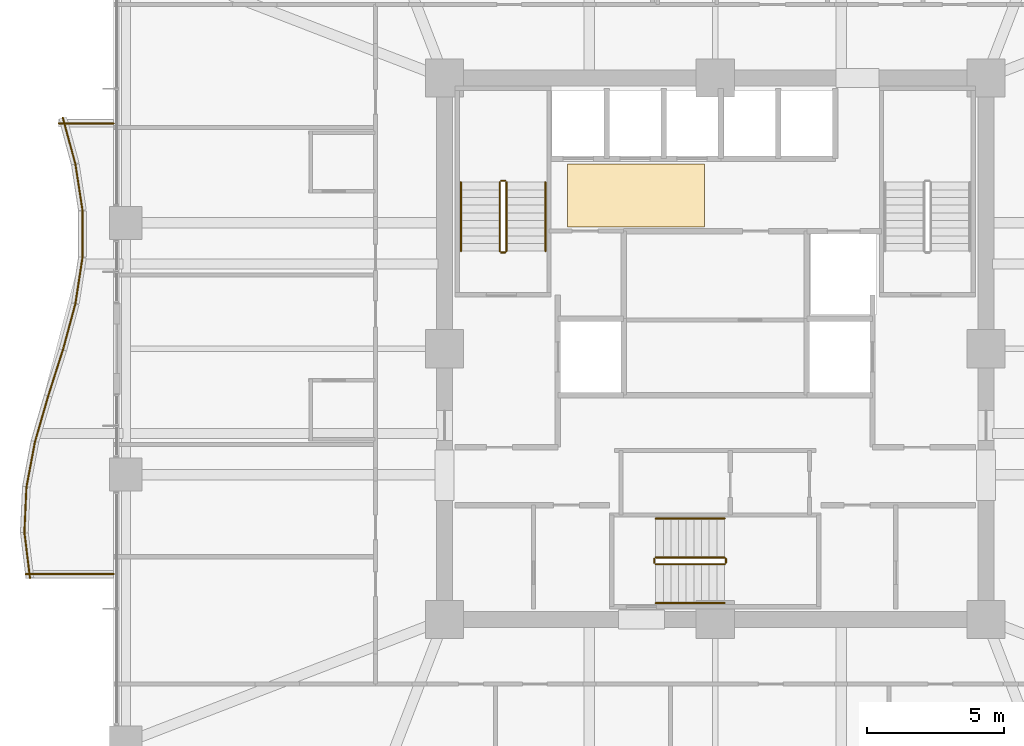
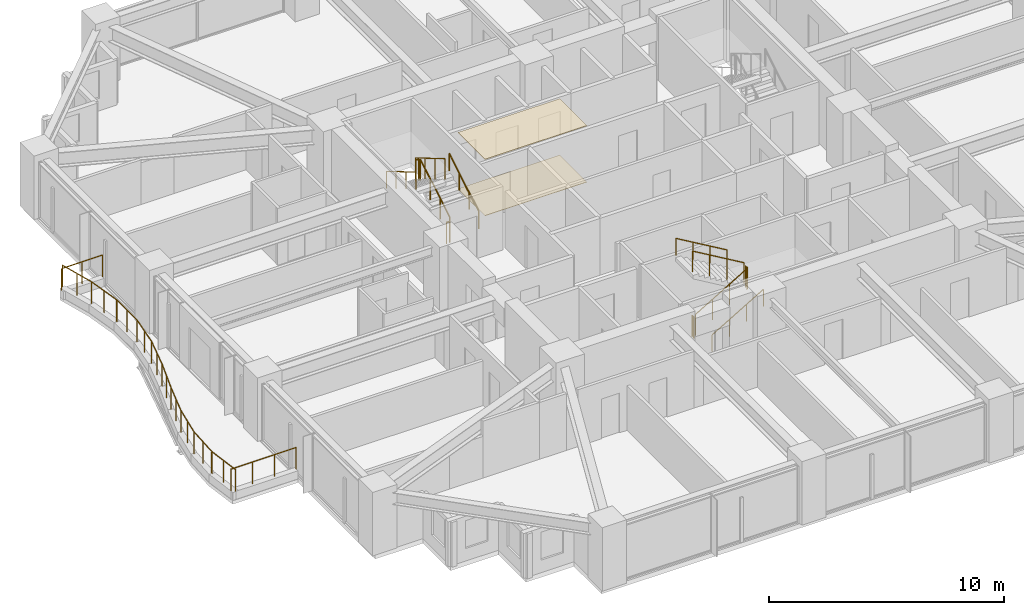
# One storey, part 37 of 38: 24 railings, 2 coverings.
"""IFC4 building model written with IfcOpenShell, lengths in metres."""

from ifc_helpers import new_model, si_unit, direction, frame, origin, origin_2d, place, context, subcontext, project, spatial, polyline, circle, outline, extrude, material, layer, layer_set, type_object, element, save


model = new_model("IFC4")

# Units and contexts
model_context = context("Model", 3, precision=1e-05, world=origin(), true_north=direction((0.0, 1.0)))
body_context = subcontext(model_context, "Body", "Model", "MODEL_VIEW")
ifc_project = project(units=[si_unit("LENGTHUNIT", "METRE"), si_unit("AREAUNIT", "SQUARE_METRE"), si_unit("VOLUMEUNIT", "CUBIC_METRE"), si_unit("PLANEANGLEUNIT", "RADIAN"), si_unit("MASSUNIT", "GRAM", prefix="KILO")], contexts=[model_context])

# Site, building, storey
site_placement = place(None, origin())
site = spatial("IfcSite", under=ifc_project, at=site_placement, CompositionType="ELEMENT")
building_placement = place(site_placement, origin())
building = spatial("IfcBuilding", under=site, at=building_placement, Name="Kolvaren Belvedere", CompositionType="ELEMENT")
storey_placement = place(building_placement, frame((0.0, 0.0, 60.10009765625)))
storey = spatial("IfcBuildingStorey", under=building, at=storey_placement, Name="L17", CompositionType="ELEMENT", Elevation=60.10009765625)

# Coverings
ifc_material_1 = material(Name="Acoustic perforated gypsum board", Category="gypsum")
ifc_layer_1 = layer(ifc_material_1, 0.02490234375)
ifc_layer_set_1 = layer_set([ifc_layer_1], Name="Acoustic perforated gypsum board")
covering_type_1 = type_object("IfcCoveringType", Name="COV-CEIL-GYP", PredefinedType="CEILING", material=ifc_layer_set_1)
covering_1_placement = place(storey_placement, frame((0.0, 0.0, 2.9248046875)))
element("IfcCovering", 1, at=covering_1_placement, inside=storey, type_object=covering_type_1, Name="L17 Lift Lobby Acoustic Baffle Ceiling", PredefinedType="CEILING", context=body_context, shape_type="SweptSolid", body=[
    extrude(outline(polyline([(-5.39990234375, 4.449951171875), (-0.39990234375, 4.449951171875), (-0.39990234375, 6.75), (-5.39990234375, 6.75), (-5.39990234375, 4.449951171875)])), origin(), (0.0, 0.0, 1.0), 0.025146484375),
])
ifc_material_2 = material(Name="Engineered Pacific white oak", Category="timber")
ifc_layer_2 = layer(ifc_material_2, 0.02001953125)
ifc_layer_set_2 = layer_set([ifc_layer_2], Name="Engineered Pacific white oak")
covering_type_2 = type_object("IfcCoveringType", Name="COV-FLR-OAK", PredefinedType="FLOORING", material=ifc_layer_set_2)
covering_2_placement = place(storey_placement, origin())
element("IfcCovering", 2, at=covering_2_placement, inside=storey, type_object=covering_type_2, Name="L17 Lift Lobby Finish Flooring", PredefinedType="FLOORING", context=body_context, shape_type="SweptSolid", body=[
    extrude(outline(polyline([(-5.39990234375, 4.449951171875), (-0.39990234375, 4.449951171875), (-0.39990234375, 6.75), (-5.39990234375, 6.75), (-5.39990234375, 4.449951171875)])), origin(), (0.0, 0.0, 1.0), 0.02001953125),
])

# Railings
ifc_material_3 = material(Name="Anodised pale-metal aluminium & laminated glass guard", Category="aluminium")
railing_type_1 = type_object("IfcRailingType", Name="RL-GUARD-1150", PredefinedType="GUARDRAIL", material=ifc_material_3)
railing_1_placement = place(storey_placement, frame((-23.851806640625, 8.441650390625, 0.35986328125)))
element("IfcRailing", 3, at=railing_1_placement, inside=storey, type_object=railing_type_1, Name="L17 Exterior Deck Safety Guard BAL-W-1", PredefinedType="GUARDRAIL", context=body_context, shape_type="SweptSolid", body=[
    extrude(circle(Radius=0.02392578125, at=origin_2d()), frame((0.0, 0.0, 1.1259765625), z_axis=(0.260682852326, -0.965424492388, 0.0), x_axis=(0.965424492388, 0.260682852326, 0.0)), (0.0, 0.0, 1.0), 1.739990234375),
    extrude(circle(Radius=0.02099609375, at=origin_2d()), origin(), (0.0, 0.0, 1.0), 1.101806640625),
    extrude(circle(Radius=0.02099609375, at=origin_2d()), frame((0.226806640625, -0.83984375, 0.0)), (0.0, 0.0, 1.0), 1.101806640625),
    extrude(circle(Radius=0.02099609375, at=origin_2d()), frame((0.45361328125, -1.679931640625, 0.0)), (0.0, 0.0, 1.0), 1.101806640625),
])
railing_2_placement = place(storey_placement, frame((-23.39453125, 6.744384765625, 0.35986328125)))
element("IfcRailing", 4, at=railing_2_placement, inside=storey, type_object=railing_type_1, Name="L17 Exterior Deck Safety Guard BAL-W-2", PredefinedType="GUARDRAIL", context=body_context, shape_type="SweptSolid", body=[
    extrude(circle(Radius=0.02392578125, at=origin_2d()), frame((0.0, 0.0, 1.1259765625), z_axis=(0.152251460091, -0.988341789514, 0.0), x_axis=(0.988341789514, 0.152251460091, 0.0)), (0.0, 0.0, 1.0), 1.69970703125),
    extrude(circle(Radius=0.02099609375, at=origin_2d()), origin(), (0.0, 0.0, 1.0), 1.101806640625),
    extrude(circle(Radius=0.02099609375, at=origin_2d()), frame((0.12939453125, -0.83984375, 0.0)), (0.0, 0.0, 1.0), 1.101806640625),
    extrude(circle(Radius=0.02099609375, at=origin_2d()), frame((0.2587890625, -1.679931640625, 0.0)), (0.0, 0.0, 1.0), 1.101806640625),
])
railing_3_placement = place(storey_placement, frame((-23.1337890625, 5.0400390625, 0.35986328125)))
element("IfcRailing", 5, at=railing_3_placement, inside=storey, type_object=railing_type_1, Name="L17 Exterior Deck Safety Guard BAL-W-3", PredefinedType="GUARDRAIL", context=body_context, shape_type="SweptSolid", body=[
    extrude(circle(Radius=0.02392578125, at=origin_2d()), frame((0.0, 0.0, 1.1259765625), z_axis=(0.0, -1.0, 0.0), x_axis=(1.0, 0.0, 0.0)), (0.0, 0.0, 1.0), 1.679931640625),
    extrude(circle(Radius=0.02099609375, at=origin_2d()), origin(), (0.0, 0.0, 1.0), 1.101806640625),
    extrude(circle(Radius=0.02099609375, at=origin_2d()), frame((0.0, -0.83984375, 0.0)), (0.0, 0.0, 1.0), 1.101806640625),
    extrude(circle(Radius=0.02099609375, at=origin_2d()), frame((0.0, -1.679931640625, 0.0)), (0.0, 0.0, 1.0), 1.101806640625),
])
railing_4_placement = place(storey_placement, frame((-23.1357421875, 3.335693359375, 0.35986328125)))
element("IfcRailing", 6, at=railing_4_placement, inside=storey, type_object=railing_type_1, Name="L17 Exterior Deck Safety Guard BAL-W-4", PredefinedType="GUARDRAIL", context=body_context, shape_type="SweptSolid", body=[
    extrude(circle(Radius=0.02392578125, at=origin_2d()), frame((0.0, 0.0, 1.1259765625), z_axis=(-0.152229849666, -0.988345118302, 0.0), x_axis=(0.988345118302, -0.152229849666, 0.0)), (0.0, 0.0, 1.0), 1.699951171875),
    extrude(circle(Radius=0.02099609375, at=origin_2d()), origin(), (0.0, 0.0, 1.0), 1.101806640625),
    extrude(circle(Radius=0.02099609375, at=origin_2d()), frame((-0.12939453125, -0.840087890625, 0.0)), (0.0, 0.0, 1.0), 1.101806640625),
    extrude(circle(Radius=0.02099609375, at=origin_2d()), frame((-0.2587890625, -1.68017578125, 0.0)), (0.0, 0.0, 1.0), 1.101806640625),
])
railing_5_placement = place(storey_placement, frame((-23.398193359375, 1.63818359375, 0.35986328125)))
element("IfcRailing", 7, at=railing_5_placement, inside=storey, type_object=railing_type_1, Name="L17 Exterior Deck Safety Guard BAL-W-5", PredefinedType="GUARDRAIL", context=body_context, shape_type="SweptSolid", body=[
    extrude(circle(Radius=0.02392578125, at=origin_2d()), frame((0.0, 0.0, 1.1259765625), z_axis=(-0.260682852326, -0.965424492388, 0.0), x_axis=(0.965424492388, -0.260682852326, 0.0)), (0.0, 0.0, 1.0), 1.739990234375),
    extrude(circle(Radius=0.02099609375, at=origin_2d()), origin(), (0.0, 0.0, 1.0), 1.101806640625),
    extrude(circle(Radius=0.02099609375, at=origin_2d()), frame((-0.226806640625, -0.83984375, 0.0)), (0.0, 0.0, 1.0), 1.101806640625),
    extrude(circle(Radius=0.02099609375, at=origin_2d()), frame((-0.45361328125, -1.679931640625, 0.0)), (0.0, 0.0, 1.0), 1.101806640625),
])
railing_6_placement = place(storey_placement, frame((-23.85400390625, -0.048583984375, 0.35986328125)))
element("IfcRailing", 8, at=railing_6_placement, inside=storey, type_object=railing_type_1, Name="L17 Exterior Deck Safety Guard BAL-W-6", PredefinedType="GUARDRAIL", context=body_context, shape_type="SweptSolid", body=[
    extrude(circle(Radius=0.02392578125, at=origin_2d()), frame((0.0, 0.0, 1.1259765625), z_axis=(-0.303906495014, -0.952701864325, 0.0), x_axis=(0.952701864325, -0.303906495014, 0.0)), (0.0, 0.0, 1.0), 1.763427734375),
    extrude(circle(Radius=0.02099609375, at=origin_2d()), origin(), (0.0, 0.0, 1.0), 1.101806640625),
    extrude(circle(Radius=0.02099609375, at=origin_2d()), frame((-0.26806640625, -0.83984375, 0.0)), (0.0, 0.0, 1.0), 1.101806640625),
    extrude(circle(Radius=0.02099609375, at=origin_2d()), frame((-0.535888671875, -1.679931640625, 0.0)), (0.0, 0.0, 1.0), 1.101806640625),
])
railing_7_placement = place(storey_placement, frame((-24.388671875, -1.724609375, 0.35986328125)))
element("IfcRailing", 9, at=railing_7_placement, inside=storey, type_object=railing_type_1, Name="L17 Exterior Deck Safety Guard BAL-W-7", PredefinedType="GUARDRAIL", context=body_context, shape_type="SweptSolid", body=[
    extrude(circle(Radius=0.02392578125, at=origin_2d()), frame((0.0, 0.0, 1.1259765625), z_axis=(-0.277946215201, -0.96059663827, 0.0), x_axis=(0.96059663827, -0.277946215201, 0.0)), (0.0, 0.0, 1.0), 1.748779296875),
    extrude(circle(Radius=0.02099609375, at=origin_2d()), origin(), (0.0, 0.0, 1.0), 1.101806640625),
    extrude(circle(Radius=0.02099609375, at=origin_2d()), frame((-0.2431640625, -0.83984375, 0.0)), (0.0, 0.0, 1.0), 1.101806640625),
    extrude(circle(Radius=0.02099609375, at=origin_2d()), frame((-0.486083984375, -1.679931640625, 0.0)), (0.0, 0.0, 1.0), 1.101806640625),
])
railing_8_placement = place(storey_placement, frame((-24.87109375, -3.3896484375, 0.35986328125)))
element("IfcRailing", 10, at=railing_8_placement, inside=storey, type_object=railing_type_1, Name="L17 Exterior Deck Safety Guard BAL-W-8", PredefinedType="GUARDRAIL", context=body_context, shape_type="SweptSolid", body=[
    extrude(circle(Radius=0.02392578125, at=origin_2d()), frame((0.0, 0.0, 1.1259765625), z_axis=(-0.184814532932, -0.982773416621, 0.0), x_axis=(0.982773416621, -0.184814532932, 0.0)), (0.0, 0.0, 1.0), 1.70947265625),
    extrude(circle(Radius=0.02099609375, at=origin_2d()), origin(), (0.0, 0.0, 1.0), 1.101806640625),
    extrude(circle(Radius=0.02099609375, at=origin_2d()), frame((-0.157958984375, -0.83984375, 0.0)), (0.0, 0.0, 1.0), 1.101806640625),
    extrude(circle(Radius=0.02099609375, at=origin_2d()), frame((-0.31591796875, -1.679931640625, 0.0)), (0.0, 0.0, 1.0), 1.101806640625),
])
railing_9_placement = place(storey_placement, frame((-25.184326171875, -5.047119140625, 0.35986328125)))
element("IfcRailing", 11, at=railing_9_placement, inside=storey, type_object=railing_type_1, Name="L17 Exterior Deck Safety Guard BAL-W-9", PredefinedType="GUARDRAIL", context=body_context, shape_type="SweptSolid", body=[
    extrude(circle(Radius=0.02392578125, at=origin_2d()), frame((0.0, 0.0, 1.1259765625), z_axis=(-0.045144279054, -0.998980477321, 0.0), x_axis=(0.998980477321, -0.045144279054, 0.0)), (0.0, 0.0, 1.0), 1.681884765625),
    extrude(circle(Radius=0.02099609375, at=origin_2d()), origin(), (0.0, 0.0, 1.0), 1.101806640625),
    extrude(circle(Radius=0.02099609375, at=origin_2d()), frame((-0.0380859375, -0.840087890625, 0.0)), (0.0, 0.0, 1.0), 1.101806640625),
    extrude(circle(Radius=0.02099609375, at=origin_2d()), frame((-0.075927734375, -1.68017578125, 0.0)), (0.0, 0.0, 1.0), 1.101806640625),
])
railing_10_placement = place(storey_placement, frame((-25.26123046875, -6.700439453125, 0.35986328125)))
element("IfcRailing", 12, at=railing_10_placement, inside=storey, type_object=railing_type_1, Name="L17 Exterior Deck Safety Guard BAL-W-10", PredefinedType="GUARDRAIL", context=body_context, shape_type="SweptSolid", body=[
    extrude(circle(Radius=0.02392578125, at=origin_2d()), frame((0.0, 0.0, 1.1259765625), z_axis=(0.121868867697, -0.992546210051, 0.0), x_axis=(0.992546210051, 0.121868867697, 0.0)), (0.0, 0.0, 1.0), 1.69287109375),
    extrude(circle(Radius=0.02099609375, at=origin_2d()), origin(), (0.0, 0.0, 1.0), 1.101806640625),
    extrude(circle(Radius=0.02099609375, at=origin_2d()), frame((0.10302734375, -0.840087890625, 0.0)), (0.0, 0.0, 1.0), 1.101806640625),
    extrude(circle(Radius=0.02099609375, at=origin_2d()), frame((0.206298828125, -1.68017578125, 0.0)), (0.0, 0.0, 1.0), 1.101806640625),
])
railing_11_placement = place(storey_placement, frame((-25.213623046875, -8.239990234375, 0.35986328125)))
element("IfcRailing", 13, at=railing_11_placement, inside=storey, type_object=railing_type_1, Name="L17 Exterior Deck Safety Guard BAL-W-11", PredefinedType="GUARDRAIL", context=body_context, shape_type="SweptSolid", body=[
    extrude(circle(Radius=0.02392578125, at=origin_2d()), frame((0.0, 0.0, 1.1259765625), z_axis=(1.0, 0.0, 0.0), x_axis=(0.0, 1.0, 0.0)), (0.0, 0.0, 1.0), 3.213623046875),
    extrude(circle(Radius=0.02099609375, at=origin_2d()), origin(), (0.0, 0.0, 1.0), 1.101806640625),
    extrude(circle(Radius=0.02099609375, at=origin_2d()), frame((1.0712890625, 0.0, 0.0)), (0.0, 0.0, 1.0), 1.101806640625),
    extrude(circle(Radius=0.02099609375, at=origin_2d()), frame((2.142333984375, 0.0, 0.0)), (0.0, 0.0, 1.0), 1.101806640625),
    extrude(circle(Radius=0.02099609375, at=origin_2d()), frame((3.213623046875, 0.0, 0.0)), (0.0, 0.0, 1.0), 1.101806640625),
])
railing_12_placement = place(storey_placement, frame((-22.0, 8.239990234375, 0.35986328125)))
element("IfcRailing", 14, at=railing_12_placement, inside=storey, type_object=railing_type_1, Name="L17 Exterior Deck Safety Guard BAL-W-22", PredefinedType="GUARDRAIL", context=body_context, shape_type="SweptSolid", body=[
    extrude(circle(Radius=0.02392578125, at=origin_2d()), frame((0.0, 0.0, 1.1259765625), z_axis=(-1.0, 0.0, 0.0), x_axis=(0.0, -1.0, 0.0)), (0.0, 0.0, 1.0), 2.00634765625),
    extrude(circle(Radius=0.02099609375, at=origin_2d()), origin(), (0.0, 0.0, 1.0), 1.101806640625),
    extrude(circle(Radius=0.02099609375, at=origin_2d()), frame((-1.003173828125, 0.0, 0.0)), (0.0, 0.0, 1.0), 1.101806640625),
    extrude(circle(Radius=0.02099609375, at=origin_2d()), frame((-2.00634765625, 0.0, 0.0)), (0.0, 0.0, 1.0), 1.101806640625),
])
ifc_material_4 = material(Name="Brushed stainless-steel handrail", Category="steel")
railing_type_2 = type_object("IfcRailingType", Name="RL-HANDRAIL-920", PredefinedType="HANDRAIL", material=ifc_material_4)
railing_13_placement = place(storey_placement, frame((-6.2099609375, 3.570068359375, 0.164794921875)))
element("IfcRailing", 15, at=railing_13_placement, inside=storey, type_object=railing_type_2, Name="L17 ST-1 stair handrail 1", PredefinedType="HANDRAIL", context=body_context, shape_type="SweptSolid", body=[
    extrude(circle(Radius=0.02392578125, at=origin_2d()), frame((0.0, 0.0, 0.8759765625), z_axis=(0.0, 0.86152411907, 0.507716645641), x_axis=(-1.0, 0.0, 0.0)), (0.0, 0.0, 1.0), 2.925048828125),
    extrude(circle(Radius=0.02099609375, at=origin_2d()), origin(), (0.0, 0.0, 1.0), 0.851806640625),
    extrude(circle(Radius=0.02099609375, at=origin_2d()), frame((0.0, 0.840087890625, 0.4951171875)), (0.0, 0.0, 1.0), 0.851806640625),
    extrude(circle(Radius=0.02099609375, at=origin_2d()), frame((0.0, 1.679931640625, 0.989990234375)), (0.0, 0.0, 1.0), 0.851806640625),
    extrude(circle(Radius=0.02099609375, at=origin_2d()), frame((0.0, 2.52001953125, 1.485107421875)), (0.0, 0.0, 1.0), 0.851806640625),
])
railing_14_placement = place(storey_placement, frame((-9.300048828125, 6.090087890625, 1.81494140625)))
element("IfcRailing", 16, at=railing_14_placement, inside=storey, type_object=railing_type_2, Name="L17 ST-1 stair handrail 2", PredefinedType="HANDRAIL", context=body_context, shape_type="SweptSolid", body=[
    extrude(circle(Radius=0.02392578125, at=origin_2d()), frame((0.0, 0.0, 0.8759765625), z_axis=(0.0, -0.861560626758, 0.507654692109), x_axis=(1.0, 0.0, 0.0)), (0.0, 0.0, 1.0), 2.925048828125),
    extrude(circle(Radius=0.02099609375, at=origin_2d()), origin(), (0.0, 0.0, 1.0), 0.851806640625),
    extrude(circle(Radius=0.02099609375, at=origin_2d()), frame((0.0, -0.840087890625, 0.494873046875)), (0.0, 0.0, 1.0), 0.851806640625),
    extrude(circle(Radius=0.02099609375, at=origin_2d()), frame((0.0, -1.679931640625, 0.989990234375)), (0.0, 0.0, 1.0), 0.851806640625),
    extrude(circle(Radius=0.02099609375, at=origin_2d()), frame((0.0, -2.52001953125, 1.48486328125)), (0.0, 0.0, 1.0), 0.851806640625),
])
railing_15_placement = place(storey_placement, frame((-2.179931640625, -9.300048828125, 0.164794921875)))
element("IfcRailing", 17, at=railing_15_placement, inside=storey, type_object=railing_type_2, Name="L17 ST-3 stair handrail 1", PredefinedType="HANDRAIL", context=body_context, shape_type="SweptSolid", body=[
    extrude(circle(Radius=0.02392578125, at=origin_2d()), frame((0.0, 0.0, 0.8759765625), z_axis=(0.86152411907, 0.0, 0.507716645641), x_axis=(0.0, 1.0, 0.0)), (0.0, 0.0, 1.0), 2.925048828125),
    extrude(circle(Radius=0.02099609375, at=origin_2d()), origin(), (0.0, 0.0, 1.0), 0.851806640625),
    extrude(circle(Radius=0.02099609375, at=origin_2d()), frame((0.840087890625, 0.0, 0.4951171875)), (0.0, 0.0, 1.0), 0.851806640625),
    extrude(circle(Radius=0.02099609375, at=origin_2d()), frame((1.679931640625, 0.0, 0.989990234375)), (0.0, 0.0, 1.0), 0.851806640625),
    extrude(circle(Radius=0.02099609375, at=origin_2d()), frame((2.52001953125, 0.0, 1.485107421875)), (0.0, 0.0, 1.0), 0.851806640625),
])
railing_16_placement = place(storey_placement, frame((0.340087890625, -6.2099609375, 1.81494140625)))
element("IfcRailing", 18, at=railing_16_placement, inside=storey, type_object=railing_type_2, Name="L17 ST-3 stair handrail 2", PredefinedType="HANDRAIL", context=body_context, shape_type="SweptSolid", body=[
    extrude(circle(Radius=0.02392578125, at=origin_2d()), frame((0.0, 0.0, 0.8759765625), z_axis=(-0.861560626758, 0.0, 0.507654692109), x_axis=(0.0, -1.0, 0.0)), (0.0, 0.0, 1.0), 2.925048828125),
    extrude(circle(Radius=0.02099609375, at=origin_2d()), origin(), (0.0, 0.0, 1.0), 0.851806640625),
    extrude(circle(Radius=0.02099609375, at=origin_2d()), frame((-0.840087890625, 0.0, 0.494873046875)), (0.0, 0.0, 1.0), 0.851806640625),
    extrude(circle(Radius=0.02099609375, at=origin_2d()), frame((-1.679931640625, 0.0, 0.989990234375)), (0.0, 0.0, 1.0), 0.851806640625),
    extrude(circle(Radius=0.02099609375, at=origin_2d()), frame((-2.52001953125, 0.0, 1.48486328125)), (0.0, 0.0, 1.0), 0.851806640625),
])
ifc_material_5 = material(Name="Painted tubular steel stair guard", Category="steel")
railing_type_3 = type_object("IfcRailingType", Name="RL-STGUARD-1100", PredefinedType="GUARDRAIL", material=ifc_material_5)
railing_17_placement = place(storey_placement, frame((-7.6298828125, 3.570068359375, 0.164794921875)))
element("IfcRailing", 19, at=railing_17_placement, inside=storey, type_object=railing_type_3, Name="L17 ST-1 stair guard 1", PredefinedType="GUARDRAIL", context=body_context, shape_type="SweptSolid", body=[
    extrude(circle(Radius=0.02392578125, at=origin_2d()), frame((0.0, 0.0, 1.076171875), z_axis=(0.0, 0.86152411907, 0.507716645641), x_axis=(-1.0, 0.0, 0.0)), (0.0, 0.0, 1.0), 2.925048828125),
    extrude(circle(Radius=0.02099609375, at=origin_2d()), origin(), (0.0, 0.0, 1.0), 1.052001953125),
    extrude(circle(Radius=0.02099609375, at=origin_2d()), frame((0.0, 0.840087890625, 0.4951171875)), (0.0, 0.0, 1.0), 1.052001953125),
    extrude(circle(Radius=0.02099609375, at=origin_2d()), frame((0.0, 1.679931640625, 0.989990234375)), (0.0, 0.0, 1.0), 1.052001953125),
    extrude(circle(Radius=0.02099609375, at=origin_2d()), frame((0.0, 2.52001953125, 1.485107421875)), (0.0, 0.0, 1.0), 1.052001953125),
])
railing_18_placement = place(storey_placement, frame((-7.679931640625, 6.139892578125, 1.64990234375)))
element("IfcRailing", 20, at=railing_18_placement, inside=storey, type_object=railing_type_3, Name="L17 ST-1 stair guard 2", PredefinedType="GUARDRAIL", context=body_context, shape_type="SweptSolid", body=[
    extrude(circle(Radius=0.02392578125, at=origin_2d()), frame((0.0, 0.0, 1.076171875), z_axis=(-1.0, 0.0, 0.0), x_axis=(0.0, -1.0, 0.0)), (0.0, 0.0, 1.0), 0.150146484375),
    extrude(circle(Radius=0.02099609375, at=origin_2d()), origin(), (0.0, 0.0, 1.0), 1.052001953125),
    extrude(circle(Radius=0.02099609375, at=origin_2d()), frame((-0.150146484375, 0.0, 0.0)), (0.0, 0.0, 1.0), 1.052001953125),
])
railing_19_placement = place(storey_placement, frame((-7.8798828125, 6.090087890625, 1.81494140625)))
element("IfcRailing", 21, at=railing_19_placement, inside=storey, type_object=railing_type_3, Name="L17 ST-1 stair guard 3", PredefinedType="GUARDRAIL", context=body_context, shape_type="SweptSolid", body=[
    extrude(circle(Radius=0.02392578125, at=origin_2d()), frame((0.0, 0.0, 1.076171875), z_axis=(0.0, -0.861560626758, 0.507654692109), x_axis=(1.0, 0.0, 0.0)), (0.0, 0.0, 1.0), 2.925048828125),
    extrude(circle(Radius=0.02099609375, at=origin_2d()), origin(), (0.0, 0.0, 1.0), 1.052001953125),
    extrude(circle(Radius=0.02099609375, at=origin_2d()), frame((0.0, -0.840087890625, 0.494873046875)), (0.0, 0.0, 1.0), 1.052001953125),
    extrude(circle(Radius=0.02099609375, at=origin_2d()), frame((0.0, -1.679931640625, 0.989990234375)), (0.0, 0.0, 1.0), 1.052001953125),
    extrude(circle(Radius=0.02099609375, at=origin_2d()), frame((0.0, -2.52001953125, 1.48486328125)), (0.0, 0.0, 1.0), 1.052001953125),
])
railing_20_placement = place(storey_placement, frame((-7.679931640625, 3.52001953125, 0.0)))
element("IfcRailing", 22, at=railing_20_placement, inside=storey, type_object=railing_type_3, Name="L17 ST-1 stair guard 4", PredefinedType="GUARDRAIL", context=body_context, shape_type="SweptSolid", body=[
    extrude(circle(Radius=0.02392578125, at=origin_2d()), frame((0.0, 0.0, 1.076171875), z_axis=(-1.0, 0.0, 0.0), x_axis=(0.0, -1.0, 0.0)), (0.0, 0.0, 1.0), 0.150146484375),
    extrude(circle(Radius=0.02099609375, at=origin_2d()), origin(), (0.0, 0.0, 1.0), 1.052001953125),
    extrude(circle(Radius=0.02099609375, at=origin_2d()), frame((-0.150146484375, 0.0, 0.0)), (0.0, 0.0, 1.0), 1.052001953125),
])
railing_21_placement = place(storey_placement, frame((-2.179931640625, -7.8798828125, 0.164794921875)))
element("IfcRailing", 23, at=railing_21_placement, inside=storey, type_object=railing_type_3, Name="L17 ST-3 stair guard 1", PredefinedType="GUARDRAIL", context=body_context, shape_type="SweptSolid", body=[
    extrude(circle(Radius=0.02392578125, at=origin_2d()), frame((0.0, 0.0, 1.076171875), z_axis=(0.86152411907, 0.0, 0.507716645641), x_axis=(0.0, 1.0, 0.0)), (0.0, 0.0, 1.0), 2.925048828125),
    extrude(circle(Radius=0.02099609375, at=origin_2d()), origin(), (0.0, 0.0, 1.0), 1.052001953125),
    extrude(circle(Radius=0.02099609375, at=origin_2d()), frame((0.840087890625, 0.0, 0.4951171875)), (0.0, 0.0, 1.0), 1.052001953125),
    extrude(circle(Radius=0.02099609375, at=origin_2d()), frame((1.679931640625, 0.0, 0.989990234375)), (0.0, 0.0, 1.0), 1.052001953125),
    extrude(circle(Radius=0.02099609375, at=origin_2d()), frame((2.52001953125, 0.0, 1.485107421875)), (0.0, 0.0, 1.0), 1.052001953125),
])
railing_22_placement = place(storey_placement, frame((0.389892578125, -7.830078125, 1.64990234375)))
element("IfcRailing", 24, at=railing_22_placement, inside=storey, type_object=railing_type_3, Name="L17 ST-3 stair guard 2", PredefinedType="GUARDRAIL", context=body_context, shape_type="SweptSolid", body=[
    extrude(circle(Radius=0.02392578125, at=origin_2d()), frame((0.0, 0.0, 1.076171875), z_axis=(0.0, 1.0, 0.0), x_axis=(-1.0, 0.0, 0.0)), (0.0, 0.0, 1.0), 0.150146484375),
    extrude(circle(Radius=0.02099609375, at=origin_2d()), origin(), (0.0, 0.0, 1.0), 1.052001953125),
    extrude(circle(Radius=0.02099609375, at=origin_2d()), frame((0.0, 0.150146484375, 0.0)), (0.0, 0.0, 1.0), 1.052001953125),
])
railing_23_placement = place(storey_placement, frame((0.340087890625, -7.6298828125, 1.81494140625)))
element("IfcRailing", 25, at=railing_23_placement, inside=storey, type_object=railing_type_3, Name="L17 ST-3 stair guard 3", PredefinedType="GUARDRAIL", context=body_context, shape_type="SweptSolid", body=[
    extrude(circle(Radius=0.02392578125, at=origin_2d()), frame((0.0, 0.0, 1.076171875), z_axis=(-0.861560626758, 0.0, 0.507654692109), x_axis=(0.0, -1.0, 0.0)), (0.0, 0.0, 1.0), 2.925048828125),
    extrude(circle(Radius=0.02099609375, at=origin_2d()), origin(), (0.0, 0.0, 1.0), 1.052001953125),
    extrude(circle(Radius=0.02099609375, at=origin_2d()), frame((-0.840087890625, 0.0, 0.494873046875)), (0.0, 0.0, 1.0), 1.052001953125),
    extrude(circle(Radius=0.02099609375, at=origin_2d()), frame((-1.679931640625, 0.0, 0.989990234375)), (0.0, 0.0, 1.0), 1.052001953125),
    extrude(circle(Radius=0.02099609375, at=origin_2d()), frame((-2.52001953125, 0.0, 1.48486328125)), (0.0, 0.0, 1.0), 1.052001953125),
])
railing_24_placement = place(storey_placement, frame((-2.22998046875, -7.830078125, 0.0)))
element("IfcRailing", 26, at=railing_24_placement, inside=storey, type_object=railing_type_3, Name="L17 ST-3 stair guard 4", PredefinedType="GUARDRAIL", context=body_context, shape_type="SweptSolid", body=[
    extrude(circle(Radius=0.02392578125, at=origin_2d()), frame((0.0, 0.0, 1.076171875), z_axis=(0.0, 1.0, 0.0), x_axis=(-1.0, 0.0, 0.0)), (0.0, 0.0, 1.0), 0.150146484375),
    extrude(circle(Radius=0.02099609375, at=origin_2d()), origin(), (0.0, 0.0, 1.0), 1.052001953125),
    extrude(circle(Radius=0.02099609375, at=origin_2d()), frame((0.0, 0.150146484375, 0.0)), (0.0, 0.0, 1.0), 1.052001953125),
])

save(model, "model.ifc")
